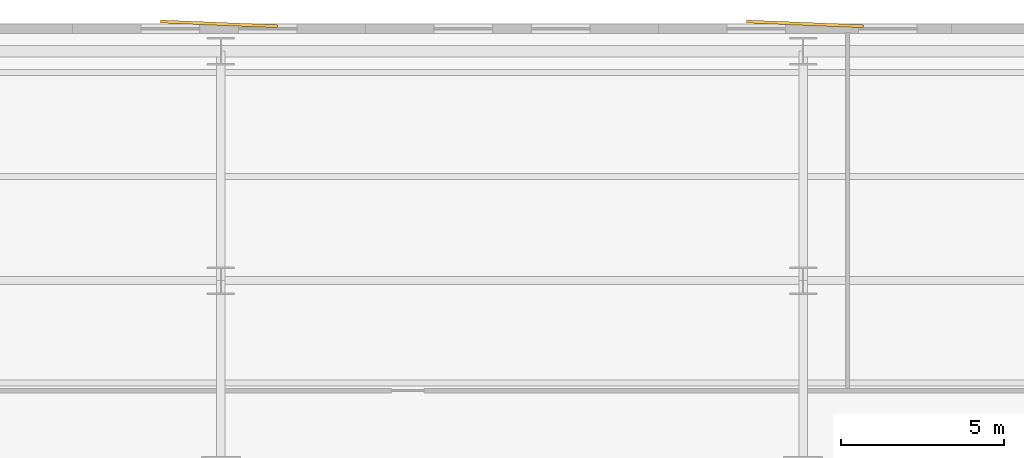
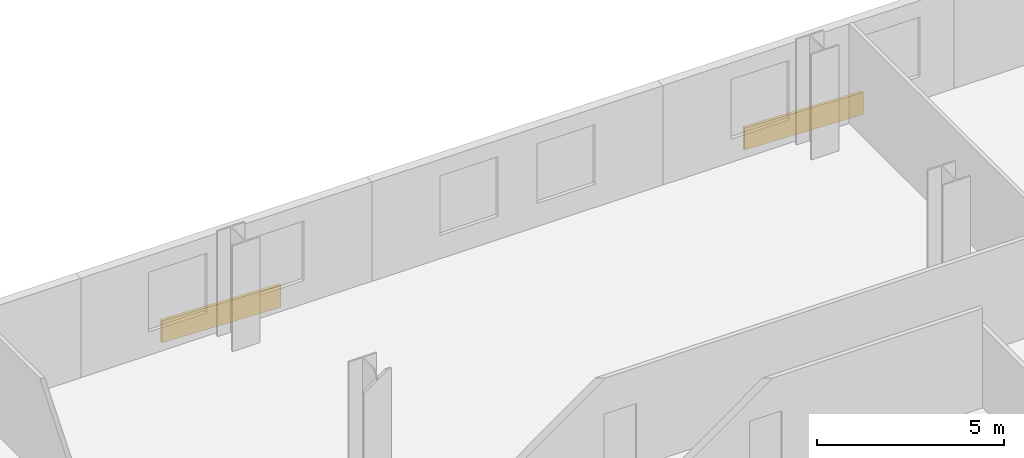
# One storey, part 10 of 10: 2 coverings.
"""IFC4 building model written with IfcOpenShell, lengths in metres."""

from ifc_helpers import new_model, si_unit, direction, frame, origin, origin_2d, place, context, subcontext, project, spatial, rectangle, extrude, material, layer, layer_set, type_object, element, save


model = new_model("IFC4")

# Units and contexts
model_context = context("Model", 3, precision=1e-05, world=origin(), true_north=direction((0.0, 1.0)))
body_context = subcontext(model_context, "Body", "Model", "MODEL_VIEW")
ifc_project = project(units=[si_unit("LENGTHUNIT", "METRE"), si_unit("AREAUNIT", "SQUARE_METRE"), si_unit("VOLUMEUNIT", "CUBIC_METRE"), si_unit("PLANEANGLEUNIT", "RADIAN"), si_unit("MASSUNIT", "GRAM", prefix="KILO")], contexts=[model_context])

# Site, building, storey
site_placement = place(None, origin())
site = spatial("IfcSite", under=ifc_project, at=site_placement, CompositionType="ELEMENT")
building_placement = place(site_placement, origin())
building = spatial("IfcBuilding", under=site, at=building_placement, Name="Velakula Bourse", CompositionType="ELEMENT")
storey_placement = place(building_placement, frame((0.0, 0.0, 38.10009765625)))
storey = spatial("IfcBuildingStorey", under=building, at=storey_placement, Name="L09", CompositionType="ELEMENT", Elevation=38.10009765625)

# Coverings
ifc_material = material(Name="Red kilned clay facing brick masonry", Category="masonry")
ifc_layer = layer(ifc_material, 0.090087890625, Name="Red kilned clay facing brick masonry", Category="masonry")
ifc_layer_set = layer_set([ifc_layer], Name="Red kilned clay facing brick masonry")
covering_type = type_object("IfcCoveringType", Name="COV-BRK-FOLD-90", PredefinedType="CLADDING", material=ifc_layer_set)
for number, where, z_axis, x_axis, name in (
    (1, (-9.0, 22.489990234375, 0.0), (0.0, 0.0, 1.0), (0.999158993058, -0.041003738744, 0.0), "L09 Folded Brick Facade Cladding Panel N-B2"),
    (2, (9.0, 22.489990234375, 0.0), (0.0, 0.0, 1.0), (0.999158993058, -0.041003738744, 0.0), "L09 Folded Brick Facade Cladding Panel N-B4"),
):
    element("IfcCovering", number, at=place(storey_placement, frame(where, z_axis=z_axis, x_axis=x_axis)), inside=storey, type_object=covering_type, Name=name, PredefinedType="CLADDING", context=body_context, shape_type="SweptSolid", body=[
        extrude(rectangle(XDim=3.60009765625, YDim=0.090087890625, at=origin_2d()), origin(), (0.0, 0.0, 1.0), 0.719970703125),
    ])

save(model, "model.ifc")
